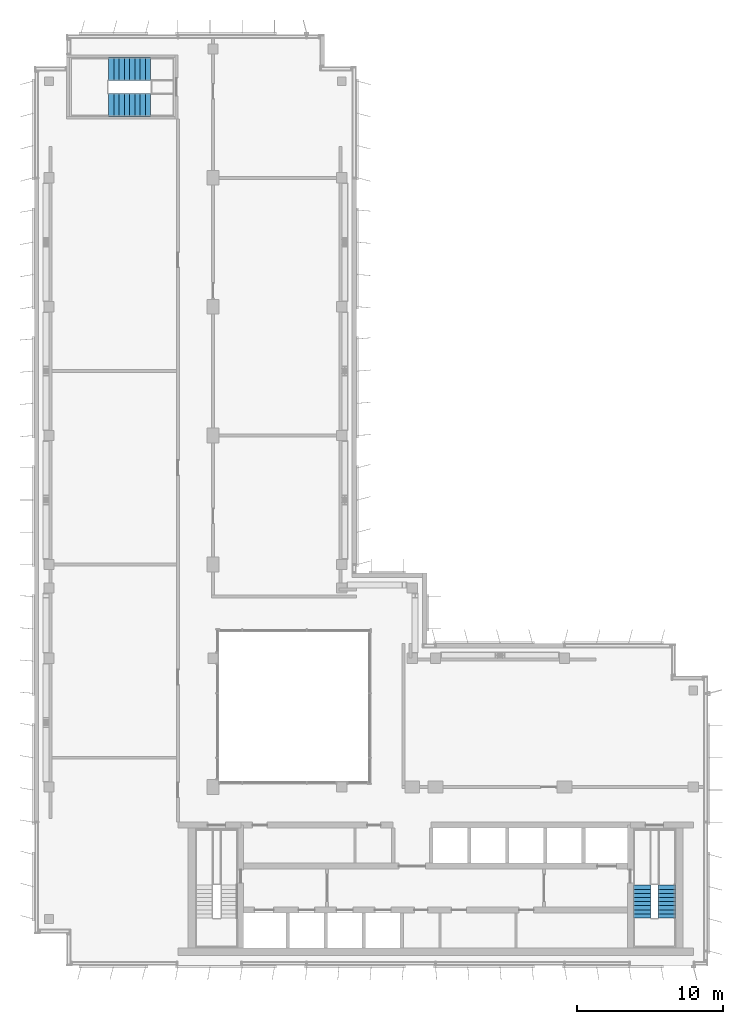
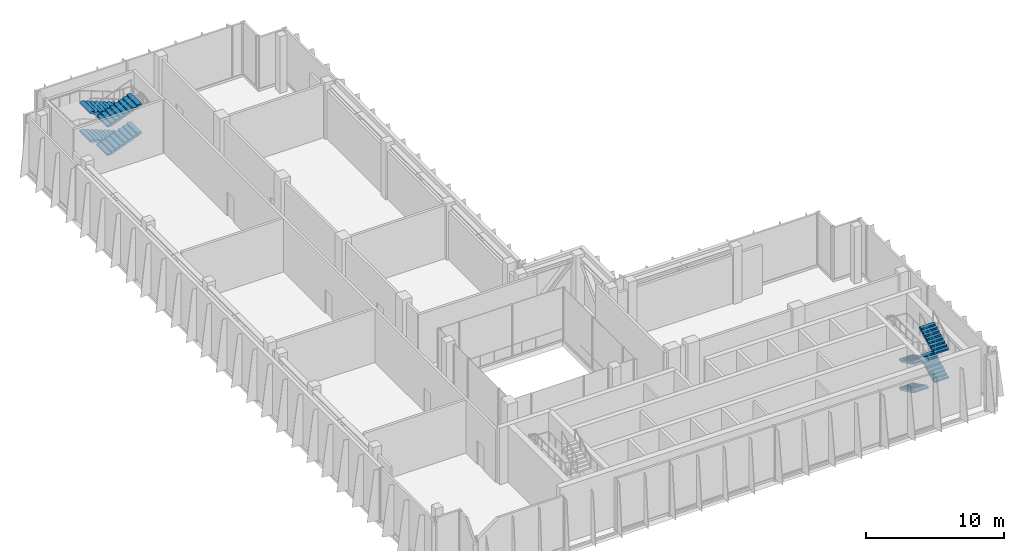
# One storey, part 10 of 14: 8 stair flights, 2 elements without a shape of their own.
"""IFC4 building model written with IfcOpenShell, lengths in metres."""

from ifc_helpers import new_model, si_unit, direction, frame, origin, place, context, subcontext, project, spatial, polyline, outline, extrude, material, type_object, element, aggregate, save


model = new_model("IFC4")

# Units and contexts
model_context = context("Model", 3, precision=1e-05, world=origin(), true_north=direction((0.0, 1.0)))
body_context = subcontext(model_context, "Body", "Model", "MODEL_VIEW")
ifc_project = project(units=[si_unit("LENGTHUNIT", "METRE"), si_unit("AREAUNIT", "SQUARE_METRE"), si_unit("VOLUMEUNIT", "CUBIC_METRE"), si_unit("PLANEANGLEUNIT", "RADIAN"), si_unit("MASSUNIT", "GRAM", prefix="KILO")], contexts=[model_context])

# Site, building, storey
site_placement = place(None, origin())
site = spatial("IfcSite", under=ifc_project, at=site_placement, CompositionType="ELEMENT")
building_placement = place(site_placement, origin())
building = spatial("IfcBuilding", under=site, at=building_placement, Name="Kemantara Hotel Tower", CompositionType="ELEMENT")
storey_placement = place(building_placement, frame((0.0, 0.0, 309.199951171875)))
storey = spatial("IfcBuildingStorey", under=building, at=storey_placement, Name="L78", CompositionType="ELEMENT", Elevation=309.199951171875)

# Stair, stair flights
ifc_material = material(Name="Concrete fc 40 MPa", Category="concrete")
stair_type_1 = type_object("IfcStairType", Name="Stair 1200 wide 36 risers of 139 x 280 mm", PredefinedType="HALF_TURN_STAIR", material=ifc_material)
stair_1_placement = place(storey_placement, origin())
stair_1 = element("IfcStair", 1, at=stair_1_placement, inside=storey, type_object=stair_type_1, Name="L78 Exit stair ST2", PredefinedType="HALF_TURN_STAIR")
stair_flight_type_1 = type_object("IfcStairFlightType", Name="Stair flight 1200 wide 139 x 280 mm", PredefinedType="STRAIGHT", material=ifc_material)
stair_flight_1_placement = place(storey_placement, frame((41.5, 5.5, 0.0), z_axis=(0.0, 0.0, 1.0), x_axis=(0.0, -1.0, 0.0)))
stair_flight_1 = element("IfcStairFlight", 2, at=stair_flight_1_placement, type_object=stair_flight_type_1, Name="ST2 flight 1", NumberOfRisers=9, NumberOfTreads=8, PredefinedType="STRAIGHT", RiserHeight=0.138888889, TreadLength=0.28, context=body_context, shape_type="SweptSolid", body=[
    extrude(outline(polyline([(0.0, 0.0), (0.0, 0.138916015625), (0.280029296875, 0.138916015625), (0.280029296875, 0.27783203125), (0.56005859375, 0.27783203125), (0.56005859375, 0.416748046875), (0.840087890625, 0.416748046875), (0.840087890625, 0.5556640625), (1.1201171875, 0.5556640625), (1.1201171875, 0.6943359375), (1.39990234375, 0.6943359375), (1.39990234375, 0.833251953125), (1.679931640625, 0.833251953125), (1.679931640625, 0.97216796875), (1.9599609375, 0.97216796875), (1.9599609375, 1.111083984375), (2.239990234375, 1.111083984375), (2.239990234375, 1.25), (2.239990234375, 0.94384765625), (0.33740234375, 0.0), (0.0, 0.0)])), frame((0.0, 0.60009765625, 0.0), z_axis=(0.0, -1.0, 0.0), x_axis=(1.0, 0.0, 0.0)), (0.0, 0.0, 1.0), 1.199951171875),
])
stair_flight_2_placement = place(storey_placement, frame((43.199951171875, 3.260009765625, 1.25), z_axis=(0.0, 0.0, 1.0), x_axis=(0.0, 1.0, 0.0)))
stair_flight_2 = element("IfcStairFlight", 3, at=stair_flight_2_placement, type_object=stair_flight_type_1, Name="ST2 flight 2", NumberOfRisers=9, NumberOfTreads=8, PredefinedType="STRAIGHT", RiserHeight=0.138888889, TreadLength=0.28, context=body_context, shape_type="SweptSolid", body=[
    extrude(outline(polyline([(0.0, 0.0), (0.0, 0.138916015625), (0.280029296875, 0.138916015625), (0.280029296875, 0.27783203125), (0.56005859375, 0.27783203125), (0.56005859375, 0.416748046875), (0.840087890625, 0.416748046875), (0.840087890625, 0.5556640625), (1.1201171875, 0.5556640625), (1.1201171875, 0.6943359375), (1.39990234375, 0.6943359375), (1.39990234375, 0.833251953125), (1.679931640625, 0.833251953125), (1.679931640625, 0.97216796875), (1.9599609375, 0.97216796875), (1.9599609375, 1.111083984375), (2.239990234375, 1.111083984375), (2.239990234375, 1.25), (2.239990234375, 0.94384765625), (0.33740234375, 0.0), (0.0, 0.0)])), frame((0.0, 0.60009765625, 0.0), z_axis=(0.0, -1.0, 0.0), x_axis=(1.0, 0.0, 0.0)), (0.0, 0.0, 1.0), 1.199951171875),
])
stair_flight_3_placement = place(storey_placement, frame((41.5, 5.5, 2.5), z_axis=(0.0, 0.0, 1.0), x_axis=(0.0, -1.0, 0.0)))
stair_flight_3 = element("IfcStairFlight", 4, at=stair_flight_3_placement, type_object=stair_flight_type_1, Name="ST2 flight 3", NumberOfRisers=9, NumberOfTreads=8, PredefinedType="STRAIGHT", RiserHeight=0.138888889, TreadLength=0.28, context=body_context, shape_type="SweptSolid", body=[
    extrude(outline(polyline([(0.0, 0.0), (0.0, 0.138916015625), (0.280029296875, 0.138916015625), (0.280029296875, 0.27783203125), (0.56005859375, 0.27783203125), (0.56005859375, 0.416748046875), (0.840087890625, 0.416748046875), (0.840087890625, 0.5556640625), (1.1201171875, 0.5556640625), (1.1201171875, 0.6943359375), (1.39990234375, 0.6943359375), (1.39990234375, 0.833251953125), (1.679931640625, 0.833251953125), (1.679931640625, 0.97216796875), (1.9599609375, 0.97216796875), (1.9599609375, 1.111083984375), (2.239990234375, 1.111083984375), (2.239990234375, 1.25), (2.239990234375, 0.94384765625), (0.33740234375, 0.0), (0.0, 0.0)])), frame((0.0, 0.60009765625, 0.0), z_axis=(0.0, -1.0, 0.0), x_axis=(1.0, 0.0, 0.0)), (0.0, 0.0, 1.0), 1.199951171875),
])
stair_flight_4_placement = place(storey_placement, frame((43.199951171875, 3.260009765625, 3.75), z_axis=(0.0, 0.0, 1.0), x_axis=(0.0, 1.0, 0.0)))
stair_flight_4 = element("IfcStairFlight", 5, at=stair_flight_4_placement, type_object=stair_flight_type_1, Name="ST2 flight 4", NumberOfRisers=9, NumberOfTreads=8, PredefinedType="STRAIGHT", RiserHeight=0.138888889, TreadLength=0.28, context=body_context, shape_type="SweptSolid", body=[
    extrude(outline(polyline([(0.0, 0.0), (0.0, 0.138916015625), (0.280029296875, 0.138916015625), (0.280029296875, 0.27783203125), (0.56005859375, 0.27783203125), (0.56005859375, 0.416748046875), (0.840087890625, 0.416748046875), (0.840087890625, 0.5556640625), (1.1201171875, 0.5556640625), (1.1201171875, 0.6943359375), (1.39990234375, 0.6943359375), (1.39990234375, 0.833251953125), (1.679931640625, 0.833251953125), (1.679931640625, 0.97216796875), (1.9599609375, 0.97216796875), (1.9599609375, 1.111083984375), (2.239990234375, 1.111083984375), (2.239990234375, 1.25), (2.239990234375, 0.94384765625), (0.33740234375, 0.0), (0.0, 0.0)])), frame((0.0, 0.60009765625, 0.0), z_axis=(0.0, -1.0, 0.0), x_axis=(1.0, 0.0, 0.0)), (0.0, 0.0, 1.0), 1.199951171875),
])
aggregate(stair_1, [stair_flight_1, stair_flight_2, stair_flight_3, stair_flight_4])

stair_type_2 = type_object("IfcStairType", Name="Stair 1550 wide 36 risers of 139 x 360 mm", PredefinedType="HALF_TURN_STAIR", material=ifc_material)
stair_2_placement = place(storey_placement, origin())
stair_2 = element("IfcStair", 6, at=stair_2_placement, inside=storey, type_object=stair_type_2, Name="L78 Exit stair ST4", PredefinedType="HALF_TURN_STAIR")
stair_flight_type_2 = type_object("IfcStairFlightType", Name="Stair flight 1550 wide 139 x 360 mm", PredefinedType="STRAIGHT", material=ifc_material)
stair_flight_5_placement = place(storey_placement, frame((7.949951171875, 61.22509765625, 0.0), z_axis=(0.0, 0.0, 1.0), x_axis=(-1.0, 0.0, 0.0)))
stair_flight_5 = element("IfcStairFlight", 7, at=stair_flight_5_placement, type_object=stair_flight_type_2, Name="ST4 flight 1", NumberOfRisers=9, NumberOfTreads=8, PredefinedType="STRAIGHT", RiserHeight=0.138888889, TreadLength=0.36, context=body_context, shape_type="SweptSolid", body=[
    extrude(outline(polyline([(0.0, 0.0), (0.0, 0.138916015625), (0.360107421875, 0.138916015625), (0.360107421875, 0.27783203125), (0.719970703125, 0.27783203125), (0.719970703125, 0.416748046875), (1.080078125, 0.416748046875), (1.080078125, 0.5556640625), (1.43994140625, 0.5556640625), (1.43994140625, 0.6943359375), (1.800048828125, 0.6943359375), (1.800048828125, 0.833251953125), (2.159912109375, 0.833251953125), (2.159912109375, 0.97216796875), (2.52001953125, 0.97216796875), (2.52001953125, 1.111083984375), (2.8798828125, 1.111083984375), (2.8798828125, 1.25), (2.8798828125, 0.950439453125), (0.41650390625, 0.0), (0.0, 0.0)])), frame((0.0, 0.77490234375, 0.0), z_axis=(0.0, -1.0, 0.0), x_axis=(1.0, 0.0, 0.0)), (0.0, 0.0, 1.0), 1.550048828125),
])
stair_flight_6_placement = place(storey_placement, frame((5.070068359375, 58.77490234375, 1.25), z_axis=(0.0, 0.0, 1.0), x_axis=(1.0, 0.0, 0.0)))
stair_flight_6 = element("IfcStairFlight", 8, at=stair_flight_6_placement, type_object=stair_flight_type_2, Name="ST4 flight 2", NumberOfRisers=9, NumberOfTreads=8, PredefinedType="STRAIGHT", RiserHeight=0.138888889, TreadLength=0.36, context=body_context, shape_type="SweptSolid", body=[
    extrude(outline(polyline([(0.0, 0.0), (0.0, 0.138916015625), (0.360107421875, 0.138916015625), (0.360107421875, 0.27783203125), (0.719970703125, 0.27783203125), (0.719970703125, 0.416748046875), (1.080078125, 0.416748046875), (1.080078125, 0.5556640625), (1.43994140625, 0.5556640625), (1.43994140625, 0.6943359375), (1.800048828125, 0.6943359375), (1.800048828125, 0.833251953125), (2.159912109375, 0.833251953125), (2.159912109375, 0.97216796875), (2.52001953125, 0.97216796875), (2.52001953125, 1.111083984375), (2.8798828125, 1.111083984375), (2.8798828125, 1.25), (2.8798828125, 0.950439453125), (0.41650390625, 0.0), (0.0, 0.0)])), frame((0.0, 0.77490234375, 0.0), z_axis=(0.0, -1.0, 0.0), x_axis=(1.0, 0.0, 0.0)), (0.0, 0.0, 1.0), 1.550048828125),
])
stair_flight_7_placement = place(storey_placement, frame((7.949951171875, 61.22509765625, 2.5), z_axis=(0.0, 0.0, 1.0), x_axis=(-1.0, 0.0, 0.0)))
stair_flight_7 = element("IfcStairFlight", 9, at=stair_flight_7_placement, type_object=stair_flight_type_2, Name="ST4 flight 3", NumberOfRisers=9, NumberOfTreads=8, PredefinedType="STRAIGHT", RiserHeight=0.138888889, TreadLength=0.36, context=body_context, shape_type="SweptSolid", body=[
    extrude(outline(polyline([(0.0, 0.0), (0.0, 0.138916015625), (0.360107421875, 0.138916015625), (0.360107421875, 0.27783203125), (0.719970703125, 0.27783203125), (0.719970703125, 0.416748046875), (1.080078125, 0.416748046875), (1.080078125, 0.5556640625), (1.43994140625, 0.5556640625), (1.43994140625, 0.6943359375), (1.800048828125, 0.6943359375), (1.800048828125, 0.833251953125), (2.159912109375, 0.833251953125), (2.159912109375, 0.97216796875), (2.52001953125, 0.97216796875), (2.52001953125, 1.111083984375), (2.8798828125, 1.111083984375), (2.8798828125, 1.25), (2.8798828125, 0.950439453125), (0.41650390625, 0.0), (0.0, 0.0)])), frame((0.0, 0.77490234375, 0.0), z_axis=(0.0, -1.0, 0.0), x_axis=(1.0, 0.0, 0.0)), (0.0, 0.0, 1.0), 1.550048828125),
])
stair_flight_8_placement = place(storey_placement, frame((5.070068359375, 58.77490234375, 3.75), z_axis=(0.0, 0.0, 1.0), x_axis=(1.0, 0.0, 0.0)))
stair_flight_8 = element("IfcStairFlight", 10, at=stair_flight_8_placement, type_object=stair_flight_type_2, Name="ST4 flight 4", NumberOfRisers=9, NumberOfTreads=8, PredefinedType="STRAIGHT", RiserHeight=0.138888889, TreadLength=0.36, context=body_context, shape_type="SweptSolid", body=[
    extrude(outline(polyline([(0.0, 0.0), (0.0, 0.138916015625), (0.360107421875, 0.138916015625), (0.360107421875, 0.27783203125), (0.719970703125, 0.27783203125), (0.719970703125, 0.416748046875), (1.080078125, 0.416748046875), (1.080078125, 0.5556640625), (1.43994140625, 0.5556640625), (1.43994140625, 0.6943359375), (1.800048828125, 0.6943359375), (1.800048828125, 0.833251953125), (2.159912109375, 0.833251953125), (2.159912109375, 0.97216796875), (2.52001953125, 0.97216796875), (2.52001953125, 1.111083984375), (2.8798828125, 1.111083984375), (2.8798828125, 1.25), (2.8798828125, 0.950439453125), (0.41650390625, 0.0), (0.0, 0.0)])), frame((0.0, 0.77490234375, 0.0), z_axis=(0.0, -1.0, 0.0), x_axis=(1.0, 0.0, 0.0)), (0.0, 0.0, 1.0), 1.550048828125),
])
aggregate(stair_2, [stair_flight_5, stair_flight_6, stair_flight_7, stair_flight_8])

save(model, "model.ifc")
